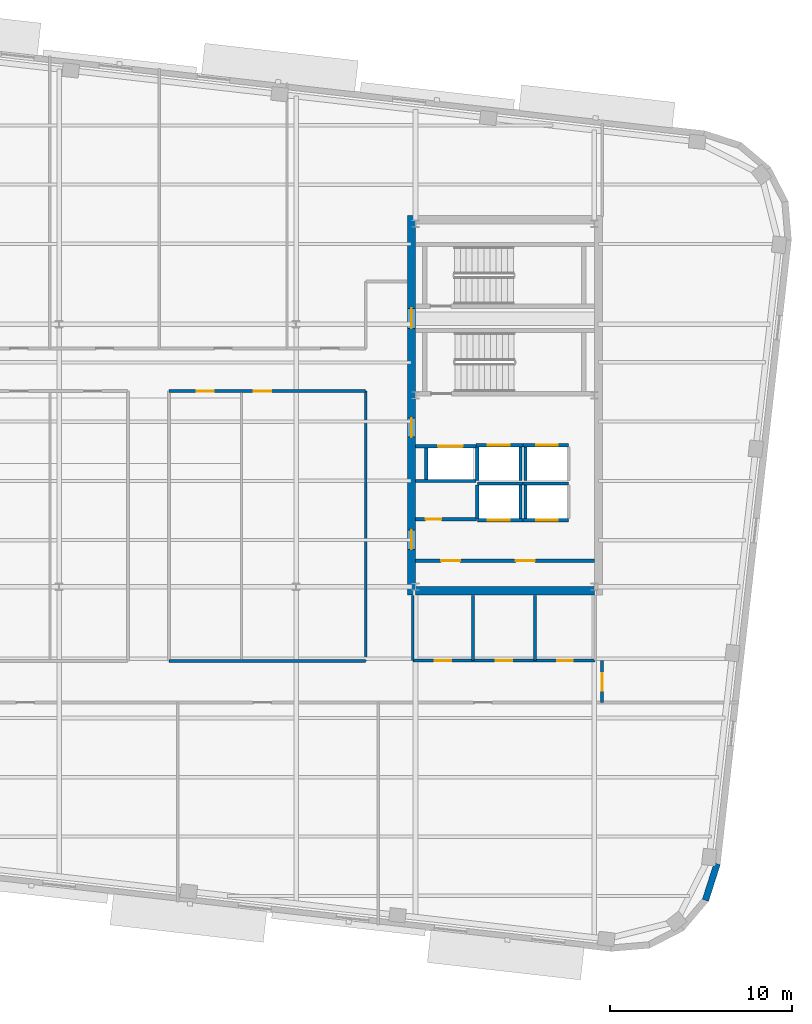
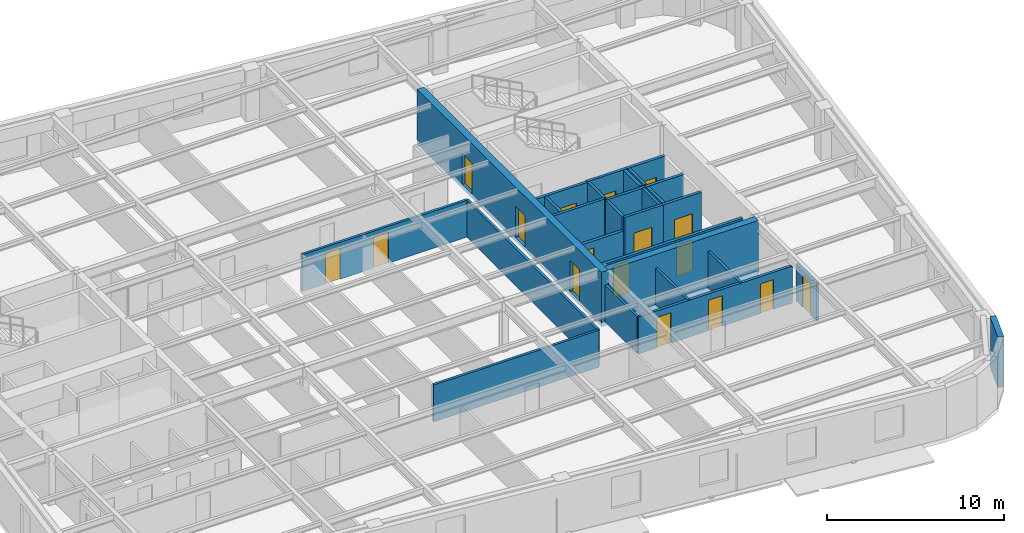
# One storey, part 7 of 13: 28 walls, 17 doors, 17 openings.
"""IFC4 building model written with IfcOpenShell, lengths in metres."""

from ifc_helpers import new_model, si_unit, direction, frame, frame_2d, origin, place, context, subcontext, project, spatial, rectangle, extrude, material, layer, layer_set, type_object, element, fill, save


model = new_model("IFC4")

# Units and contexts
model_context = context("Model", 3, precision=1e-05, world=origin(), true_north=direction((0.0, 1.0)))
body_context = subcontext(model_context, "Body", "Model", "MODEL_VIEW")
ifc_project = project(units=[si_unit("LENGTHUNIT", "METRE"), si_unit("AREAUNIT", "SQUARE_METRE"), si_unit("VOLUMEUNIT", "CUBIC_METRE"), si_unit("PLANEANGLEUNIT", "RADIAN"), si_unit("MASSUNIT", "GRAM", prefix="KILO")], contexts=[model_context])

# Site, building, storey
site_placement = place(None, origin())
site = spatial("IfcSite", under=ifc_project, at=site_placement, CompositionType="ELEMENT")
building_placement = place(site_placement, origin())
building = spatial("IfcBuilding", under=site, at=building_placement, Name="Kolvaren Arena Tower", CompositionType="ELEMENT")
storey_placement = place(building_placement, frame((0.0, 0.0, 228.449951171875)))
storey = spatial("IfcBuildingStorey", under=building, at=storey_placement, Name="L55", CompositionType="ELEMENT", Elevation=228.449951171875)

# Wall, openings, doors
ifc_material_1 = material(Name="Gypsum board acoustic assembly", Category="gypsum")
ifc_layer_1 = layer(ifc_material_1, 0.159912109375)
ifc_layer_set_1 = layer_set([ifc_layer_1], Name="Gypsum board acoustic assembly")
wall_type_1 = type_object("IfcWallType", Name="CORR-160", PredefinedType="PARTITIONING", material=ifc_layer_set_1)
wall_1_placement = place(storey_placement, frame((37.0400390625, 30.179931640625, 0.0), z_axis=(0.0, 0.0, 1.0), x_axis=(1.0, 0.0, 0.0)))
wall_1 = element("IfcWall", 1, at=wall_1_placement, inside=storey, type_object=wall_type_1, Name="Interior Partition Wall (L55)", PredefinedType="PARTITIONING", context=body_context, shape_type="SweptSolid", body=[
    extrude(rectangle(XDim=10.760009765625, YDim=0.159912109375, at=frame_2d((5.3798828125, 0.0))), origin(), (0.0, 0.0, 1.0), 2.5400390625),
])
opening_1_placement = place(wall_1_placement, frame((1.5048828125, 0.0, 0.0)))
opening_1 = element("IfcOpeningElement", 2, at=opening_1_placement, cuts=wall_1, Name="Opening D05", PredefinedType="OPENING", context=body_context, shape_type="SweptSolid", body=[
    extrude(rectangle(XDim=0.949951171875, YDim=2.14990234375, at=frame_2d((0.47509765625, 1.074951171875))), frame((0.0, 0.08984375, 0.0), z_axis=(0.0, -1.0, 0.0), x_axis=(1.0, 0.0, 0.0)), (0.0, 0.0, 1.0), 0.179931640625),
])
opening_2_placement = place(wall_1_placement, frame((4.635009765625, 0.0, 0.0)))
opening_2 = element("IfcOpeningElement", 3, at=opening_2_placement, cuts=wall_1, Name="Opening D05", PredefinedType="OPENING", context=body_context, shape_type="SweptSolid", body=[
    extrude(rectangle(XDim=0.949951171875, YDim=2.14990234375, at=frame_2d((0.47509765625, 1.074951171875))), frame((0.0, 0.08984375, 0.0), z_axis=(0.0, -1.0, 0.0), x_axis=(1.0, 0.0, 0.0)), (0.0, 0.0, 1.0), 0.179931640625),
])
ifc_material_2 = material(Name="Solid-core oak acoustic office door", Category="wood")
door_type_1 = type_object("IfcDoorType", Name="DOOR-OF-095", OperationType="NOTDEFINED", PredefinedType="DOOR", material=ifc_material_2)
door_1_placement = place(opening_1_placement, origin())
door_1 = element("IfcDoor", 4, at=door_1_placement, inside=storey, type_object=door_type_1, Name="Breakout Pantry and Kitchen Door (L55)", OperationType="SINGLE_SWING_LEFT", OverallHeight=2.14990234375, OverallWidth=0.949951171875, PredefinedType="DOOR", context=body_context, shape_type="SweptSolid", body=[
    extrude(rectangle(XDim=0.949951171875, YDim=2.14990234375, at=frame_2d((0.47509765625, 1.074951171875))), frame((0.0, 0.02490234375, 0.0), z_axis=(0.0, -1.0, 0.0), x_axis=(1.0, 0.0, 0.0)), (0.0, 0.0, 1.0), 0.050048828125),
])
fill(opening_1, door_1)
door_2_placement = place(opening_2_placement, origin())
door_2 = element("IfcDoor", 5, at=door_2_placement, inside=storey, type_object=door_type_1, Name="Wellness Room Door (L55)", OperationType="SINGLE_SWING_RIGHT", OverallHeight=2.14990234375, OverallWidth=0.949951171875, PredefinedType="DOOR", context=body_context, shape_type="SweptSolid", body=[
    extrude(rectangle(XDim=0.949951171875, YDim=2.14990234375, at=frame_2d((0.47509765625, 1.074951171875))), frame((0.0, 0.02490234375, 0.0), z_axis=(0.0, -1.0, 0.0), x_axis=(1.0, 0.0, 0.0)), (0.0, 0.0, 1.0), 0.050048828125),
])
fill(opening_2, door_2)

# Walls
wall_2_placement = place(storey_placement, frame((37.0400390625, 15.3798828125, 0.0), z_axis=(0.0, 0.0, 1.0), x_axis=(1.0, 0.0, 0.0)))
element("IfcWall", 6, at=wall_2_placement, inside=storey, type_object=wall_type_1, Name="Interior Partition Wall (L55)", PredefinedType="PARTITIONING", context=body_context, shape_type="SweptSolid", body=[
    extrude(rectangle(XDim=10.760009765625, YDim=0.159912109375, at=frame_2d((5.3798828125, 0.0))), origin(), (0.0, 0.0, 1.0), 2.5400390625),
])
wall_3_placement = place(storey_placement, frame((47.820068359375, 15.3798828125, 0.0), z_axis=(0.0, 0.0, 1.0), x_axis=(0.0, 1.0, 0.0)))
element("IfcWall", 7, at=wall_3_placement, inside=storey, type_object=wall_type_1, Name="Interior Partition Wall (L55)", PredefinedType="PARTITIONING", context=body_context, shape_type="SweptSolid", body=[
    extrude(rectangle(XDim=14.800048828125, YDim=0.159912109375, at=frame_2d((7.39990234375, 0.0))), origin(), (0.0, 0.0, 1.0), 2.5400390625),
])

# Wall, opening, door
wall_4_placement = place(storey_placement, frame((60.780029296875, 13.10009765625, 0.0), z_axis=(0.0, 0.0, 1.0), x_axis=(0.0, 1.0, 0.0)))
wall_4 = element("IfcWall", 8, at=wall_4_placement, inside=storey, type_object=wall_type_1, Name="Interior Partition Wall (L55)", PredefinedType="PARTITIONING", context=body_context, shape_type="SweptSolid", body=[
    extrude(rectangle(XDim=2.2998046875, YDim=0.159912109375, at=frame_2d((1.14990234375, 0.0))), origin(), (0.0, 0.0, 1.0), 2.5400390625),
])
opening_3_placement = place(wall_4_placement, frame((0.64990234375, 0.0, 0.0)))
opening_3 = element("IfcOpeningElement", 9, at=opening_3_placement, cuts=wall_4, Name="Opening D05", PredefinedType="OPENING", context=body_context, shape_type="SweptSolid", body=[
    extrude(rectangle(XDim=0.949951171875, YDim=2.14990234375, at=frame_2d((0.47509765625, 1.074951171875))), frame((0.0, 0.08984375, 0.0), z_axis=(0.0, -1.0, 0.0), x_axis=(1.0, 0.0, 0.0)), (0.0, 0.0, 1.0), 0.179931640625),
])
door_3_placement = place(opening_3_placement, origin())
door_3 = element("IfcDoor", 10, at=door_3_placement, inside=storey, type_object=door_type_1, Name="East Wing Studio Door (L55)", OperationType="SINGLE_SWING_RIGHT", OverallHeight=2.14990234375, OverallWidth=0.949951171875, PredefinedType="DOOR", context=body_context, shape_type="SweptSolid", body=[
    extrude(rectangle(XDim=0.949951171875, YDim=2.14990234375, at=frame_2d((0.47509765625, 1.074951171875))), frame((0.0, 0.02490234375, 0.0), z_axis=(0.0, -1.0, 0.0), x_axis=(1.0, 0.0, 0.0)), (0.0, 0.0, 1.0), 0.050048828125),
])
fill(opening_3, door_3)

# Wall, openings, doors
ifc_material_3 = material(Name="Concrete 55 MPa", Category="concrete")
ifc_layer_2 = layer(ifc_material_3, 0.449951171875)
ifc_layer_set_2 = layer_set([ifc_layer_2], Name="Concrete 55 MPa")
wall_type_2 = type_object("IfcWallType", Name="CWALL-450", PredefinedType="SHEAR", material=ifc_layer_set_2)
wall_5_placement = place(storey_placement, frame((50.324951171875, 19.0, -0.27001953125), z_axis=(0.0, 0.0, 1.0), x_axis=(0.0, 1.0, 0.0)))
wall_5 = element("IfcWall", 11, at=wall_5_placement, inside=storey, type_object=wall_type_2, Name="Core Shear Wall EC-WEST (L55)", PredefinedType="SHEAR", context=body_context, shape_type="SweptSolid", body=[
    extrude(rectangle(XDim=20.800048828125, YDim=0.449951171875, at=frame_2d((10.39990234375, 0.0))), origin(), (0.0, 0.0, 1.0), 3.75),
])
opening_4_placement = place(wall_5_placement, frame((2.5, 0.0, 0.27001953125)))
opening_4 = element("IfcOpeningElement", 12, at=opening_4_placement, cuts=wall_5, Name="Opening D04", PredefinedType="OPENING", context=body_context, shape_type="SweptSolid", body=[
    extrude(rectangle(XDim=1.050048828125, YDim=2.14990234375, at=frame_2d((0.52490234375, 1.074951171875))), frame((0.0, 0.23486328125, 0.0), z_axis=(0.0, -1.0, 0.0), x_axis=(1.0, 0.0, 0.0)), (0.0, 0.0, 1.0), 0.469970703125),
])
opening_5_placement = place(wall_5_placement, frame((8.64990234375, 0.0, 0.27001953125)))
opening_5 = element("IfcOpeningElement", 13, at=opening_5_placement, cuts=wall_5, Name="Opening D04", PredefinedType="OPENING", context=body_context, shape_type="SweptSolid", body=[
    extrude(rectangle(XDim=1.050048828125, YDim=2.14990234375, at=frame_2d((0.52490234375, 1.074951171875))), frame((0.0, 0.23486328125, 0.0), z_axis=(0.0, -1.0, 0.0), x_axis=(1.0, 0.0, 0.0)), (0.0, 0.0, 1.0), 0.469970703125),
])
opening_6_placement = place(wall_5_placement, frame((14.6201171875, 0.0, 0.27001953125)))
opening_6 = element("IfcOpeningElement", 14, at=opening_6_placement, cuts=wall_5, Name="Opening D03", PredefinedType="OPENING", context=body_context, shape_type="SweptSolid", body=[
    extrude(rectangle(XDim=1.10009765625, YDim=2.14990234375, at=frame_2d((0.550048828125, 1.074951171875))), frame((0.0, 0.23486328125, 0.0), z_axis=(0.0, -1.0, 0.0), x_axis=(1.0, 0.0, 0.0)), (0.0, 0.0, 1.0), 0.469970703125),
])
ifc_material_4 = material(Name="Fire-rated steel lobby door", Category="steel")
door_type_2 = type_object("IfcDoorType", Name="DOOR-FF-105", OperationType="NOTDEFINED", PredefinedType="DOOR", material=ifc_material_4)
door_4_placement = place(opening_4_placement, origin())
door_4 = element("IfcDoor", 15, at=door_4_placement, inside=storey, type_object=door_type_2, Name="East Lift Lobby Fire Door (L55)", OperationType="SINGLE_SWING_RIGHT", OverallHeight=2.14990234375, OverallWidth=1.050048828125, PredefinedType="DOOR", context=body_context, shape_type="SweptSolid", body=[
    extrude(rectangle(XDim=1.050048828125, YDim=2.14990234375, at=frame_2d((0.52490234375, 1.074951171875))), frame((0.0, 0.02490234375, 0.0), z_axis=(0.0, -1.0, 0.0), x_axis=(1.0, 0.0, 0.0)), (0.0, 0.0, 1.0), 0.050048828125),
])
fill(opening_4, door_4)
door_5_placement = place(opening_5_placement, origin())
door_5 = element("IfcDoor", 16, at=door_5_placement, inside=storey, type_object=door_type_2, Name="East Firefighter Vestibule Door (L55)", OperationType="SINGLE_SWING_LEFT", OverallHeight=2.14990234375, OverallWidth=1.050048828125, PredefinedType="DOOR", context=body_context, shape_type="SweptSolid", body=[
    extrude(rectangle(XDim=1.050048828125, YDim=2.14990234375, at=frame_2d((0.52490234375, 1.074951171875))), frame((0.0, 0.02490234375, 0.0), z_axis=(0.0, -1.0, 0.0), x_axis=(1.0, 0.0, 0.0)), (0.0, 0.0, 1.0), 0.050048828125),
])
fill(opening_5, door_5)
ifc_material_5 = material(Name="Fire-rated steel exit stair door", Category="steel")
door_type_3 = type_object("IfcDoorType", Name="DOOR-ST-110", OperationType="NOTDEFINED", PredefinedType="DOOR", material=ifc_material_5)
door_6_placement = place(opening_6_placement, origin())
door_6 = element("IfcDoor", 17, at=door_6_placement, inside=storey, type_object=door_type_3, Name="Stair ST-E2 Vestibule Fire Door (L55)", OperationType="SINGLE_SWING_LEFT", OverallHeight=2.14990234375, OverallWidth=1.10009765625, PredefinedType="DOOR", context=body_context, shape_type="SweptSolid", body=[
    extrude(rectangle(XDim=1.10009765625, YDim=2.14990234375, at=frame_2d((0.550048828125, 1.074951171875))), frame((0.0, 0.02490234375, 0.0), z_axis=(0.0, -1.0, 0.0), x_axis=(1.0, 0.0, 0.0)), (0.0, 0.0, 1.0), 0.050048828125),
])
fill(opening_6, door_6)

# Walls
wall_6_placement = place(storey_placement, frame((50.550048828125, 19.22509765625, -0.27001953125), z_axis=(0.0, 0.0, 1.0), x_axis=(1.0, 0.0, 0.0)))
element("IfcWall", 18, at=wall_6_placement, inside=storey, type_object=wall_type_2, Name="Core Shear Wall EC-SOUTH (L55)", PredefinedType="SHEAR", context=body_context, shape_type="SweptSolid", body=[
    extrude(rectangle(XDim=9.800048828125, YDim=0.449951171875, at=frame_2d((4.89990234375, 0.0))), origin(), (0.0, 0.0, 1.0), 3.75),
])
ifc_material_6 = material(Name="Precast concrete C50/60", Category="concrete")
ifc_layer_3 = layer(ifc_material_6, 0.360107421875)
ifc_layer_set_3 = layer_set([ifc_layer_3], Name="Precast concrete C50/60")
wall_type_3 = type_object("IfcWallType", Name="EXT-PIER2", PredefinedType="SOLIDWALL", material=ifc_layer_set_3)
wall_7_placement = place(storey_placement, frame((67.0908203125, 4.255615234375, 0.0), z_axis=(0.0, 0.0, 1.0), x_axis=(-0.304838787518, -0.952403965565, 0.0)))
element("IfcWall", 19, at=wall_7_placement, inside=storey, type_object=wall_type_3, Name="Exterior Precast Masonry-Frame Wall (L55)", PredefinedType="SOLIDWALL", context=body_context, shape_type="SweptSolid", body=[
    extrude(rectangle(XDim=2.107177734375, YDim=0.360107421875, at=frame_2d((1.0537109375, 0.0))), origin(), (0.0, 0.0, 1.0), 3.47998046875),
])

# Wall, openings, doors
ifc_material_7 = material(Name="Concrete 40 MPa", Category="concrete")
ifc_layer_4 = layer(ifc_material_7, 0.199951171875)
ifc_layer_set_4 = layer_set([ifc_layer_4], Name="Concrete 40 MPa")
wall_type_4 = type_object("IfcWallType", Name="LOBBY-200", PredefinedType="SOLIDWALL", material=ifc_layer_set_4)
wall_8_placement = place(storey_placement, frame((50.550048828125, 20.8798828125, 0.0), z_axis=(0.0, 0.0, 1.0), x_axis=(1.0, 0.0, 0.0)))
wall_8 = element("IfcWall", 20, at=wall_8_placement, inside=storey, type_object=wall_type_4, Name="Core Shaft Wall (L55)", PredefinedType="SOLIDWALL", context=body_context, shape_type="SweptSolid", body=[
    extrude(rectangle(XDim=9.800048828125, YDim=0.199951171875, at=frame_2d((4.89990234375, 0.0))), origin(), (0.0, 0.0, 1.0), 2.5400390625),
])
opening_7_placement = place(wall_8_placement, frame((1.39990234375, 0.0, 0.0)))
opening_7 = element("IfcOpeningElement", 21, at=opening_7_placement, cuts=wall_8, Name="Opening D04", PredefinedType="OPENING", context=body_context, shape_type="SweptSolid", body=[
    extrude(rectangle(XDim=1.050048828125, YDim=2.14990234375, at=frame_2d((0.52490234375, 1.074951171875))), frame((0.0, 0.10986328125, 0.0), z_axis=(0.0, -1.0, 0.0), x_axis=(1.0, 0.0, 0.0)), (0.0, 0.0, 1.0), 0.219970703125),
])
opening_8_placement = place(wall_8_placement, frame((5.5, 0.0, 0.0)))
opening_8 = element("IfcOpeningElement", 22, at=opening_8_placement, cuts=wall_8, Name="Opening D04", PredefinedType="OPENING", context=body_context, shape_type="SweptSolid", body=[
    extrude(rectangle(XDim=1.050048828125, YDim=2.14990234375, at=frame_2d((0.52490234375, 1.074951171875))), frame((0.0, 0.10986328125, 0.0), z_axis=(0.0, -1.0, 0.0), x_axis=(1.0, 0.0, 0.0)), (0.0, 0.0, 1.0), 0.219970703125),
])
door_7_placement = place(opening_7_placement, origin())
door_7 = element("IfcDoor", 23, at=door_7_placement, inside=storey, type_object=door_type_2, Name="East Telecom Room Fire Door (L55)", OperationType="SINGLE_SWING_RIGHT", OverallHeight=2.14990234375, OverallWidth=1.050048828125, PredefinedType="DOOR", context=body_context, shape_type="SweptSolid", body=[
    extrude(rectangle(XDim=1.050048828125, YDim=2.14990234375, at=frame_2d((0.52490234375, 1.074951171875))), frame((0.0, 0.02490234375, 0.0), z_axis=(0.0, -1.0, 0.0), x_axis=(1.0, 0.0, 0.0)), (0.0, 0.0, 1.0), 0.050048828125),
])
fill(opening_7, door_7)
door_8_placement = place(opening_8_placement, origin())
door_8 = element("IfcDoor", 24, at=door_8_placement, inside=storey, type_object=door_type_2, Name="East Records Room Fire Door (L55)", OperationType="SINGLE_SWING_LEFT", OverallHeight=2.14990234375, OverallWidth=1.050048828125, PredefinedType="DOOR", context=body_context, shape_type="SweptSolid", body=[
    extrude(rectangle(XDim=1.050048828125, YDim=2.14990234375, at=frame_2d((0.52490234375, 1.074951171875))), frame((0.0, 0.02490234375, 0.0), z_axis=(0.0, -1.0, 0.0), x_axis=(1.0, 0.0, 0.0)), (0.0, 0.0, 1.0), 0.050048828125),
])
fill(opening_8, door_8)

# Wall, opening, door
wall_9_placement = place(storey_placement, frame((50.550048828125, 23.159912109375, 0.0), z_axis=(0.0, 0.0, 1.0), x_axis=(1.0, 0.0, 0.0)))
wall_9 = element("IfcWall", 25, at=wall_9_placement, inside=storey, type_object=wall_type_4, Name="Core Shaft Wall (L55)", PredefinedType="SOLIDWALL", context=body_context, shape_type="SweptSolid", body=[
    extrude(rectangle(XDim=3.329833984375, YDim=0.199951171875, at=frame_2d((1.6650390625, 0.0))), origin(), (0.0, 0.0, 1.0), 2.5400390625),
])
opening_9_placement = place(wall_9_placement, frame((0.550048828125, 0.0, 0.0)))
opening_9 = element("IfcOpeningElement", 26, at=opening_9_placement, cuts=wall_9, Name="Opening D09", PredefinedType="OPENING", context=body_context, shape_type="SweptSolid", body=[
    extrude(rectangle(XDim=0.860107421875, YDim=2.050048828125, at=frame_2d((0.43017578125, 1.02490234375))), frame((0.0, 0.10986328125, 0.0), z_axis=(0.0, -1.0, 0.0), x_axis=(1.0, 0.0, 0.0)), (0.0, 0.0, 1.0), 0.219970703125),
])
ifc_material_8 = material(Name="Fire-rated steel riser access door", Category="steel")
door_type_4 = type_object("IfcDoorType", Name="DOOR-RS-086", OperationType="NOTDEFINED", PredefinedType="DOOR", material=ifc_material_8)
door_9_placement = place(opening_9_placement, origin())
door_9 = element("IfcDoor", 27, at=door_9_placement, inside=storey, type_object=door_type_4, Name="East AV Riser Closet Door (L55)", OperationType="SINGLE_SWING_LEFT", OverallHeight=2.050048828125, OverallWidth=0.860107421875, PredefinedType="DOOR", context=body_context, shape_type="SweptSolid", body=[
    extrude(rectangle(XDim=0.860107421875, YDim=2.050048828125, at=frame_2d((0.43017578125, 1.02490234375))), frame((0.0, 0.02490234375, 0.0), z_axis=(0.0, -1.0, 0.0), x_axis=(1.0, 0.0, 0.0)), (0.0, 0.0, 1.0), 0.050048828125),
])
fill(opening_9, door_9)

# Wall
ifc_material_9 = material(Name="Concrete 45 MPa", Category="concrete")
ifc_layer_5 = layer(ifc_material_9, 0.25)
ifc_layer_set_5 = layer_set([ifc_layer_5], Name="Concrete 45 MPa")
wall_type_5 = type_object("IfcWallType", Name="SHAFT-250", PredefinedType="SOLIDWALL", material=ifc_layer_set_5)
wall_10_placement = place(storey_placement, frame((53.93994140625, 25.10498046875, 0.0), z_axis=(0.0, 0.0, 1.0), x_axis=(1.0, 0.0, 0.0)))
element("IfcWall", 28, at=wall_10_placement, inside=storey, type_object=wall_type_5, Name="Core Shaft Wall (L55)", PredefinedType="SOLIDWALL", context=body_context, shape_type="SweptSolid", body=[
    extrude(rectangle(XDim=2.5, YDim=0.179931640625, at=frame_2d((1.25, 0.0))), origin(), (0.0, 0.0, 1.0), 3.47998046875),
])

# Wall, opening, door
wall_11_placement = place(storey_placement, frame((53.93994140625, 23.094970703125, 0.0), z_axis=(0.0, 0.0, 1.0), x_axis=(1.0, 0.0, 0.0)))
wall_11 = element("IfcWall", 29, at=wall_11_placement, inside=storey, type_object=wall_type_5, Name="Core Shaft Wall (L55)", PredefinedType="SOLIDWALL", context=body_context, shape_type="SweptSolid", body=[
    extrude(rectangle(XDim=2.5, YDim=0.179931640625, at=frame_2d((1.25, 0.0))), origin(), (0.0, 0.0, 1.0), 3.47998046875),
])
opening_10_placement = place(wall_11_placement, frame((0.580078125, 0.0, 0.0)))
opening_10 = element("IfcOpeningElement", 30, at=opening_10_placement, cuts=wall_11, Name="Opening LD1", PredefinedType="OPENING", context=body_context, shape_type="SweptSolid", body=[
    extrude(rectangle(XDim=1.199951171875, YDim=2.199951171875, at=frame_2d((0.60009765625, 1.10009765625))), frame((0.0, 0.099853515625, 0.0), z_axis=(0.0, -1.0, 0.0), x_axis=(1.0, 0.0, 0.0)), (0.0, 0.0, 1.0), 0.199951171875),
])
ifc_material_10 = material(Name="Stainless steel passenger lift landing door", Category="steel")
door_type_5 = type_object("IfcDoorType", Name="DOOR-LD-120", OperationType="DOUBLE_DOOR_SLIDING", PredefinedType="DOOR", material=ifc_material_10)
door_10_placement = place(opening_10_placement, origin())
door_10 = element("IfcDoor", 31, at=door_10_placement, inside=storey, type_object=door_type_5, Name="Lift EL-HR1 Landing Door (L55)", OperationType="DOUBLE_DOOR_SLIDING", OverallHeight=2.199951171875, OverallWidth=1.199951171875, PredefinedType="DOOR", context=body_context, shape_type="SweptSolid", body=[
    extrude(rectangle(XDim=1.199951171875, YDim=2.199951171875, at=frame_2d((0.60009765625, 1.10009765625))), frame((0.0, 0.02490234375, 0.0), z_axis=(0.0, -1.0, 0.0), x_axis=(1.0, 0.0, 0.0)), (0.0, 0.0, 1.0), 0.050048828125),
])
fill(opening_10, door_10)

# Walls
for number, where, z_axis, x_axis, name in (
    (32, (53.93994140625, 23.18505859375, 0.0), (0.0, 0.0, 1.0), (0.0, 1.0, 0.0), "Core Shaft Wall (L55)"),
    (33, (56.300048828125, 23.18505859375, 0.0), (0.0, 0.0, 1.0), (0.0, 1.0, 0.0), "Core Shaft Wall (L55)"),
):
    element("IfcWall", number, at=place(storey_placement, frame(where, z_axis=z_axis, x_axis=x_axis)), inside=storey, type_object=wall_type_5, Name=name, PredefinedType="SOLIDWALL", context=body_context, shape_type="SweptSolid", body=[
        extrude(rectangle(XDim=1.829833984375, YDim=0.179931640625, at=frame_2d((0.9150390625, 0.0))), origin(), (0.0, 0.0, 1.0), 3.47998046875),
    ])
wall_12_placement = place(storey_placement, frame((56.43994140625, 25.10498046875, 0.0), z_axis=(0.0, 0.0, 1.0), x_axis=(1.0, 0.0, 0.0)))
element("IfcWall", 34, at=wall_12_placement, inside=storey, type_object=wall_type_5, Name="Core Shaft Wall (L55)", PredefinedType="SOLIDWALL", context=body_context, shape_type="SweptSolid", body=[
    extrude(rectangle(XDim=2.5, YDim=0.179931640625, at=frame_2d((1.25, 0.0))), origin(), (0.0, 0.0, 1.0), 3.47998046875),
])

# Wall, opening, door
wall_13_placement = place(storey_placement, frame((56.43994140625, 23.094970703125, 0.0), z_axis=(0.0, 0.0, 1.0), x_axis=(1.0, 0.0, 0.0)))
wall_13 = element("IfcWall", 35, at=wall_13_placement, inside=storey, type_object=wall_type_5, Name="Core Shaft Wall (L55)", PredefinedType="SOLIDWALL", context=body_context, shape_type="SweptSolid", body=[
    extrude(rectangle(XDim=2.5, YDim=0.179931640625, at=frame_2d((1.25, 0.0))), origin(), (0.0, 0.0, 1.0), 3.47998046875),
])
opening_11_placement = place(wall_13_placement, frame((0.719970703125, 0.0, 0.0)))
opening_11 = element("IfcOpeningElement", 36, at=opening_11_placement, cuts=wall_13, Name="Opening LD1", PredefinedType="OPENING", context=body_context, shape_type="SweptSolid", body=[
    extrude(rectangle(XDim=1.199951171875, YDim=2.199951171875, at=frame_2d((0.60009765625, 1.10009765625))), frame((0.0, 0.099853515625, 0.0), z_axis=(0.0, -1.0, 0.0), x_axis=(1.0, 0.0, 0.0)), (0.0, 0.0, 1.0), 0.199951171875),
])
door_11_placement = place(opening_11_placement, origin())
door_11 = element("IfcDoor", 37, at=door_11_placement, inside=storey, type_object=door_type_5, Name="Lift EL-HR2 Landing Door (L55)", OperationType="DOUBLE_DOOR_SLIDING", OverallHeight=2.199951171875, OverallWidth=1.199951171875, PredefinedType="DOOR", context=body_context, shape_type="SweptSolid", body=[
    extrude(rectangle(XDim=1.199951171875, YDim=2.199951171875, at=frame_2d((0.60009765625, 1.10009765625))), frame((0.0, 0.02490234375, 0.0), z_axis=(0.0, -1.0, 0.0), x_axis=(1.0, 0.0, 0.0)), (0.0, 0.0, 1.0), 0.050048828125),
])
fill(opening_11, door_11)

# Wall
wall_14_placement = place(storey_placement, frame((56.580078125, 23.18505859375, 0.0), z_axis=(0.0, 0.0, 1.0), x_axis=(0.0, 1.0, 0.0)))
element("IfcWall", 38, at=wall_14_placement, inside=storey, type_object=wall_type_5, Name="Core Shaft Wall (L55)", PredefinedType="SOLIDWALL", context=body_context, shape_type="SweptSolid", body=[
    extrude(rectangle(XDim=1.829833984375, YDim=0.179931640625, at=frame_2d((0.9150390625, 0.0))), origin(), (0.0, 0.0, 1.0), 3.47998046875),
])

# Wall, opening, door
wall_15_placement = place(storey_placement, frame((53.864990234375, 27.205078125, 0.0), z_axis=(0.0, 0.0, 1.0), x_axis=(1.0, 0.0, 0.0)))
wall_15 = element("IfcWall", 39, at=wall_15_placement, inside=storey, type_object=wall_type_5, Name="Core Shaft Wall (L55)", PredefinedType="SOLIDWALL", context=body_context, shape_type="SweptSolid", body=[
    extrude(rectangle(XDim=2.574951171875, YDim=0.179931640625, at=frame_2d((1.28759765625, 0.0))), origin(), (0.0, 0.0, 1.0), 3.47998046875),
])
opening_12_placement = place(wall_15_placement, frame((0.655029296875, 0.0, 0.0)))
opening_12 = element("IfcOpeningElement", 40, at=opening_12_placement, cuts=wall_15, Name="Opening LD1", PredefinedType="OPENING", context=body_context, shape_type="SweptSolid", body=[
    extrude(rectangle(XDim=1.199951171875, YDim=2.199951171875, at=frame_2d((0.60009765625, 1.10009765625))), frame((0.0, 0.099853515625, 0.0), z_axis=(0.0, -1.0, 0.0), x_axis=(1.0, 0.0, 0.0)), (0.0, 0.0, 1.0), 0.199951171875),
])
door_12_placement = place(opening_12_placement, origin())
door_12 = element("IfcDoor", 41, at=door_12_placement, inside=storey, type_object=door_type_5, Name="Lift EL-HR3 Landing Door (L55)", OperationType="DOUBLE_DOOR_SLIDING", OverallHeight=2.199951171875, OverallWidth=1.199951171875, PredefinedType="DOOR", context=body_context, shape_type="SweptSolid", body=[
    extrude(rectangle(XDim=1.199951171875, YDim=2.199951171875, at=frame_2d((0.60009765625, 1.10009765625))), frame((0.0, 0.02490234375, 0.0), z_axis=(0.0, -1.0, 0.0), x_axis=(1.0, 0.0, 0.0)), (0.0, 0.0, 1.0), 0.050048828125),
])
fill(opening_12, door_12)

# Walls
for number, where, z_axis, x_axis, name in (
    (42, (53.93994140625, 25.284912109375, 0.0), (0.0, 0.0, 1.0), (0.0, 1.0, 0.0), "Core Shaft Wall (L55)"),
    (43, (56.300048828125, 25.284912109375, 0.0), (0.0, 0.0, 1.0), (0.0, 1.0, 0.0), "Core Shaft Wall (L55)"),
):
    element("IfcWall", number, at=place(storey_placement, frame(where, z_axis=z_axis, x_axis=x_axis)), inside=storey, type_object=wall_type_5, Name=name, PredefinedType="SOLIDWALL", context=body_context, shape_type="SweptSolid", body=[
        extrude(rectangle(XDim=1.830078125, YDim=0.179931640625, at=frame_2d((0.9150390625, 0.0))), origin(), (0.0, 0.0, 1.0), 3.47998046875),
    ])

# Wall, opening, door
wall_16_placement = place(storey_placement, frame((56.43994140625, 27.205078125, 0.0), z_axis=(0.0, 0.0, 1.0), x_axis=(1.0, 0.0, 0.0)))
wall_16 = element("IfcWall", 44, at=wall_16_placement, inside=storey, type_object=wall_type_5, Name="Core Shaft Wall (L55)", PredefinedType="SOLIDWALL", context=body_context, shape_type="SweptSolid", body=[
    extrude(rectangle(XDim=2.5, YDim=0.179931640625, at=frame_2d((1.25, 0.0))), origin(), (0.0, 0.0, 1.0), 3.47998046875),
])
opening_13_placement = place(wall_16_placement, frame((0.719970703125, 0.0, 0.0)))
opening_13 = element("IfcOpeningElement", 45, at=opening_13_placement, cuts=wall_16, Name="Opening LD1", PredefinedType="OPENING", context=body_context, shape_type="SweptSolid", body=[
    extrude(rectangle(XDim=1.199951171875, YDim=2.199951171875, at=frame_2d((0.60009765625, 1.10009765625))), frame((0.0, 0.099853515625, 0.0), z_axis=(0.0, -1.0, 0.0), x_axis=(1.0, 0.0, 0.0)), (0.0, 0.0, 1.0), 0.199951171875),
])
door_13_placement = place(opening_13_placement, origin())
door_13 = element("IfcDoor", 46, at=door_13_placement, inside=storey, type_object=door_type_5, Name="Lift EL-HR4 Landing Door (L55)", OperationType="DOUBLE_DOOR_SLIDING", OverallHeight=2.199951171875, OverallWidth=1.199951171875, PredefinedType="DOOR", context=body_context, shape_type="SweptSolid", body=[
    extrude(rectangle(XDim=1.199951171875, YDim=2.199951171875, at=frame_2d((0.60009765625, 1.10009765625))), frame((0.0, 0.02490234375, 0.0), z_axis=(0.0, -1.0, 0.0), x_axis=(1.0, 0.0, 0.0)), (0.0, 0.0, 1.0), 0.050048828125),
])
fill(opening_13, door_13)

# Wall
wall_17_placement = place(storey_placement, frame((56.580078125, 25.284912109375, 0.0), z_axis=(0.0, 0.0, 1.0), x_axis=(0.0, 1.0, 0.0)))
element("IfcWall", 47, at=wall_17_placement, inside=storey, type_object=wall_type_5, Name="Core Shaft Wall (L55)", PredefinedType="SOLIDWALL", context=body_context, shape_type="SweptSolid", body=[
    extrude(rectangle(XDim=1.830078125, YDim=0.179931640625, at=frame_2d((0.9150390625, 0.0))), origin(), (0.0, 0.0, 1.0), 3.47998046875),
])

# Wall, opening, door
wall_18_placement = place(storey_placement, frame((50.550048828125, 27.155029296875, 0.0), z_axis=(0.0, 0.0, 1.0), x_axis=(1.0, 0.0, 0.0)))
wall_18 = element("IfcWall", 48, at=wall_18_placement, inside=storey, type_object=wall_type_5, Name="Core Shaft Wall (L55)", PredefinedType="SOLIDWALL", context=body_context, shape_type="SweptSolid", body=[
    extrude(rectangle(XDim=3.31494140625, YDim=0.179931640625, at=frame_2d((1.657470703125, 0.0))), origin(), (0.0, 0.0, 1.0), 3.47998046875),
])
opening_14_placement = place(wall_18_placement, frame((1.235107421875, 0.0, 0.0)))
opening_14 = element("IfcOpeningElement", 49, at=opening_14_placement, cuts=wall_18, Name="Opening LD2", PredefinedType="OPENING", context=body_context, shape_type="SweptSolid", body=[
    extrude(rectangle(XDim=1.35009765625, YDim=2.300048828125, at=frame_2d((0.675048828125, 1.14990234375))), frame((0.0, 0.099853515625, 0.0), z_axis=(0.0, -1.0, 0.0), x_axis=(1.0, 0.0, 0.0)), (0.0, 0.0, 1.0), 0.199951171875),
])
ifc_material_11 = material(Name="Stainless steel firefighter lift landing door", Category="steel")
door_type_6 = type_object("IfcDoorType", Name="DOOR-LD-135", OperationType="DOUBLE_DOOR_SLIDING", PredefinedType="DOOR", material=ifc_material_11)
door_14_placement = place(opening_14_placement, origin())
door_14 = element("IfcDoor", 50, at=door_14_placement, inside=storey, type_object=door_type_6, Name="Firefighter Lift FF-E1 Landing Door (L55)", OperationType="DOUBLE_DOOR_SLIDING", OverallHeight=2.300048828125, OverallWidth=1.35009765625, PredefinedType="DOOR", context=body_context, shape_type="SweptSolid", body=[
    extrude(rectangle(XDim=1.35009765625, YDim=2.300048828125, at=frame_2d((0.675048828125, 1.14990234375))), frame((0.0, 0.02490234375, 0.0), z_axis=(0.0, -1.0, 0.0), x_axis=(1.0, 0.0, 0.0)), (0.0, 0.0, 1.0), 0.050048828125),
])
fill(opening_14, door_14)

# Walls
wall_19_placement = place(storey_placement, frame((50.550048828125, 25.2451171875, 0.0), z_axis=(0.0, 0.0, 1.0), x_axis=(1.0, 0.0, 0.0)))
element("IfcWall", 51, at=wall_19_placement, inside=storey, type_object=wall_type_5, Name="Core Shaft Wall (L55)", PredefinedType="SOLIDWALL", context=body_context, shape_type="SweptSolid", body=[
    extrude(rectangle(XDim=3.31494140625, YDim=0.179931640625, at=frame_2d((1.657470703125, 0.0))), origin(), (0.0, 0.0, 1.0), 3.47998046875),
])
wall_20_placement = place(storey_placement, frame((51.1298828125, 25.3349609375, 0.0), z_axis=(0.0, 0.0, 1.0), x_axis=(0.0, 1.0, 0.0)))
element("IfcWall", 52, at=wall_20_placement, inside=storey, type_object=wall_type_5, Name="Core Shaft Wall (L55)", PredefinedType="SOLIDWALL", context=body_context, shape_type="SweptSolid", body=[
    extrude(rectangle(XDim=1.72998046875, YDim=0.179931640625, at=frame_2d((0.864990234375, 0.0))), origin(), (0.0, 0.0, 1.0), 3.47998046875),
])

# Wall, openings, doors
wall_21_placement = place(storey_placement, frame((50.39990234375, 15.39990234375, 0.0), z_axis=(0.0, 0.0, 1.0), x_axis=(1.0, 0.0, 0.0)))
wall_21 = element("IfcWall", 53, at=wall_21_placement, inside=storey, type_object=wall_type_5, Name="Interior Partition Wall (L55)", PredefinedType="SOLIDWALL", context=body_context, shape_type="SweptSolid", body=[
    extrude(rectangle(XDim=10.0, YDim=0.179931640625, at=frame_2d((5.0, 0.0))), origin(), (0.0, 0.0, 1.0), 2.5400390625),
])
opening_15_placement = place(wall_21_placement, frame((1.18994140625, 0.0, 0.0)))
opening_15 = element("IfcOpeningElement", 54, at=opening_15_placement, cuts=wall_21, Name="Opening D07", PredefinedType="OPENING", context=body_context, shape_type="SweptSolid", body=[
    extrude(rectangle(XDim=0.919921875, YDim=2.10009765625, at=frame_2d((0.4599609375, 1.050048828125))), frame((0.0, 0.099853515625, 0.0), z_axis=(0.0, -1.0, 0.0), x_axis=(1.0, 0.0, 0.0)), (0.0, 0.0, 1.0), 0.199951171875),
])
opening_16_placement = place(wall_21_placement, frame((4.5400390625, 0.0, 0.0)))
opening_16 = element("IfcOpeningElement", 55, at=opening_16_placement, cuts=wall_21, Name="Opening D07", PredefinedType="OPENING", context=body_context, shape_type="SweptSolid", body=[
    extrude(rectangle(XDim=0.919921875, YDim=2.10009765625, at=frame_2d((0.4599609375, 1.050048828125))), frame((0.0, 0.099853515625, 0.0), z_axis=(0.0, -1.0, 0.0), x_axis=(1.0, 0.0, 0.0)), (0.0, 0.0, 1.0), 0.199951171875),
])
opening_17_placement = place(wall_21_placement, frame((7.919921875, 0.0, 0.0)))
opening_17 = element("IfcOpeningElement", 56, at=opening_17_placement, cuts=wall_21, Name="Opening D09", PredefinedType="OPENING", context=body_context, shape_type="SweptSolid", body=[
    extrude(rectangle(XDim=0.860107421875, YDim=2.050048828125, at=frame_2d((0.43017578125, 1.02490234375))), frame((0.0, 0.099853515625, 0.0), z_axis=(0.0, -1.0, 0.0), x_axis=(1.0, 0.0, 0.0)), (0.0, 0.0, 1.0), 0.199951171875),
])
door_15_placement = place(opening_17_placement, origin())
door_15 = element("IfcDoor", 57, at=door_15_placement, inside=storey, type_object=door_type_4, Name="Mechanical Riser Closet Door (L55)", OperationType="SINGLE_SWING_LEFT", OverallHeight=2.050048828125, OverallWidth=0.860107421875, PredefinedType="DOOR", context=body_context, shape_type="SweptSolid", body=[
    extrude(rectangle(XDim=0.860107421875, YDim=2.050048828125, at=frame_2d((0.43017578125, 1.02490234375))), frame((0.0, 0.02490234375, 0.0), z_axis=(0.0, -1.0, 0.0), x_axis=(1.0, 0.0, 0.0)), (0.0, 0.0, 1.0), 0.050048828125),
])
fill(opening_17, door_15)
ifc_material_12 = material(Name="Laminate universal washroom door", Category="wood")
door_type_7 = type_object("IfcDoorType", Name="DOOR-WC-092", OperationType="NOTDEFINED", PredefinedType="DOOR", material=ifc_material_12)
door_16_placement = place(opening_15_placement, origin())
door_16 = element("IfcDoor", 58, at=door_16_placement, inside=storey, type_object=door_type_7, Name="Staff Pantry Door (L55)", OperationType="SINGLE_SWING_LEFT", OverallHeight=2.10009765625, OverallWidth=0.919921875, PredefinedType="DOOR", context=body_context, shape_type="SweptSolid", body=[
    extrude(rectangle(XDim=0.919921875, YDim=2.10009765625, at=frame_2d((0.4599609375, 1.050048828125))), frame((0.0, 0.02490234375, 0.0), z_axis=(0.0, -1.0, 0.0), x_axis=(1.0, 0.0, 0.0)), (0.0, 0.0, 1.0), 0.050048828125),
])
fill(opening_15, door_16)
door_17_placement = place(opening_16_placement, origin())
door_17 = element("IfcDoor", 59, at=door_17_placement, inside=storey, type_object=door_type_7, Name="Gender-Neutral Washroom Door (L55)", OperationType="SINGLE_SWING_RIGHT", OverallHeight=2.10009765625, OverallWidth=0.919921875, PredefinedType="DOOR", context=body_context, shape_type="SweptSolid", body=[
    extrude(rectangle(XDim=0.919921875, YDim=2.10009765625, at=frame_2d((0.4599609375, 1.050048828125))), frame((0.0, 0.02490234375, 0.0), z_axis=(0.0, -1.0, 0.0), x_axis=(1.0, 0.0, 0.0)), (0.0, 0.0, 1.0), 0.050048828125),
])
fill(opening_16, door_17)

# Walls
ifc_material_13 = material(Name="Moisture-resistant gypsum assembly", Category="gypsum")
ifc_layer_6 = layer(ifc_material_13, 0.14990234375)
ifc_layer_set_6 = layer_set([ifc_layer_6], Name="Moisture-resistant gypsum assembly")
wall_type_6 = type_object("IfcWallType", Name="WETW-150", PredefinedType="PARTITIONING", material=ifc_layer_set_6)
for number, where, z_axis, x_axis, name in (
    (60, (53.699951171875, 15.39990234375, 0.0), (0.0, 0.0, 1.0), (0.0, 1.0, 0.0), "Interior Partition Wall (L55)"),
    (61, (57.10009765625, 15.39990234375, 0.0), (0.0, 0.0, 1.0), (0.0, 1.0, 0.0), "Interior Partition Wall (L55)"),
    (62, (50.39990234375, 15.39990234375, 0.0), (0.0, 0.0, 1.0), (0.0, 1.0, 0.0), "Interior Partition Wall (L55)"),
):
    element("IfcWall", number, at=place(storey_placement, frame(where, z_axis=z_axis, x_axis=x_axis)), inside=storey, type_object=wall_type_6, Name=name, PredefinedType="PARTITIONING", context=body_context, shape_type="SweptSolid", body=[
        extrude(rectangle(XDim=3.580078125, YDim=0.14990234375, at=frame_2d((1.7900390625, 0.0))), origin(), (0.0, 0.0, 1.0), 2.5400390625),
    ])

save(model, "model.ifc")
